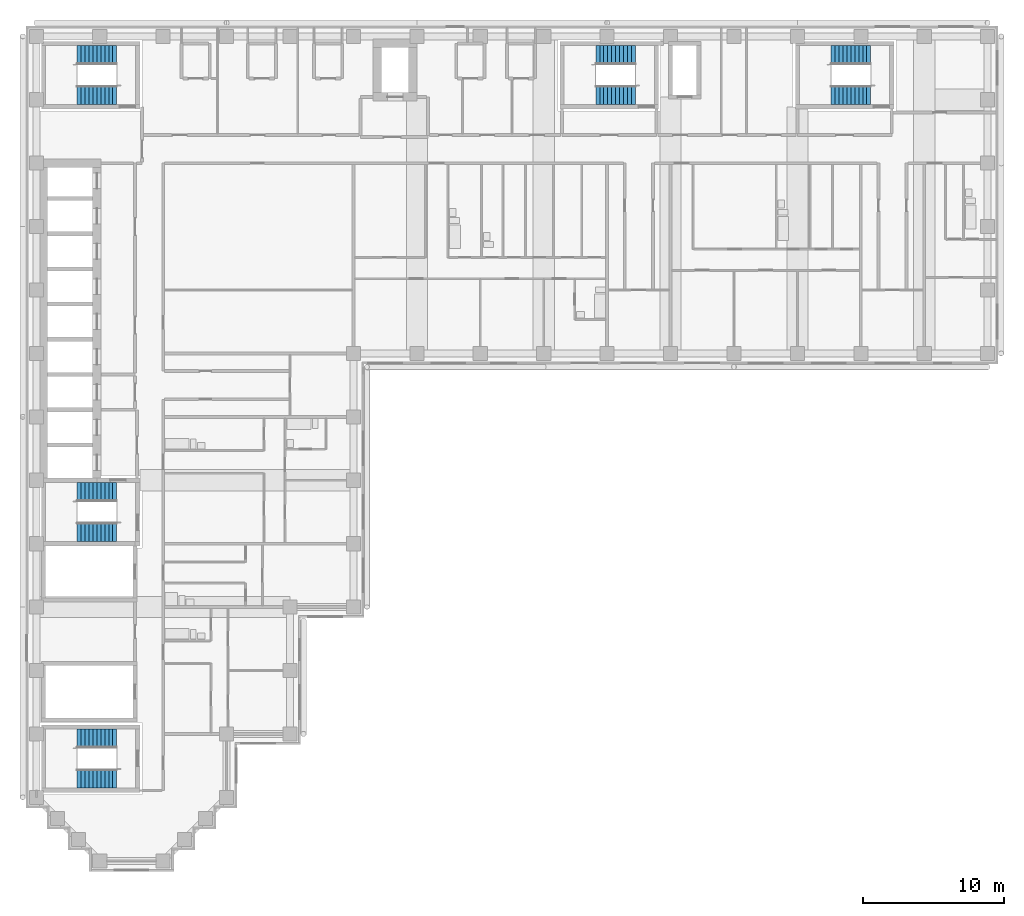
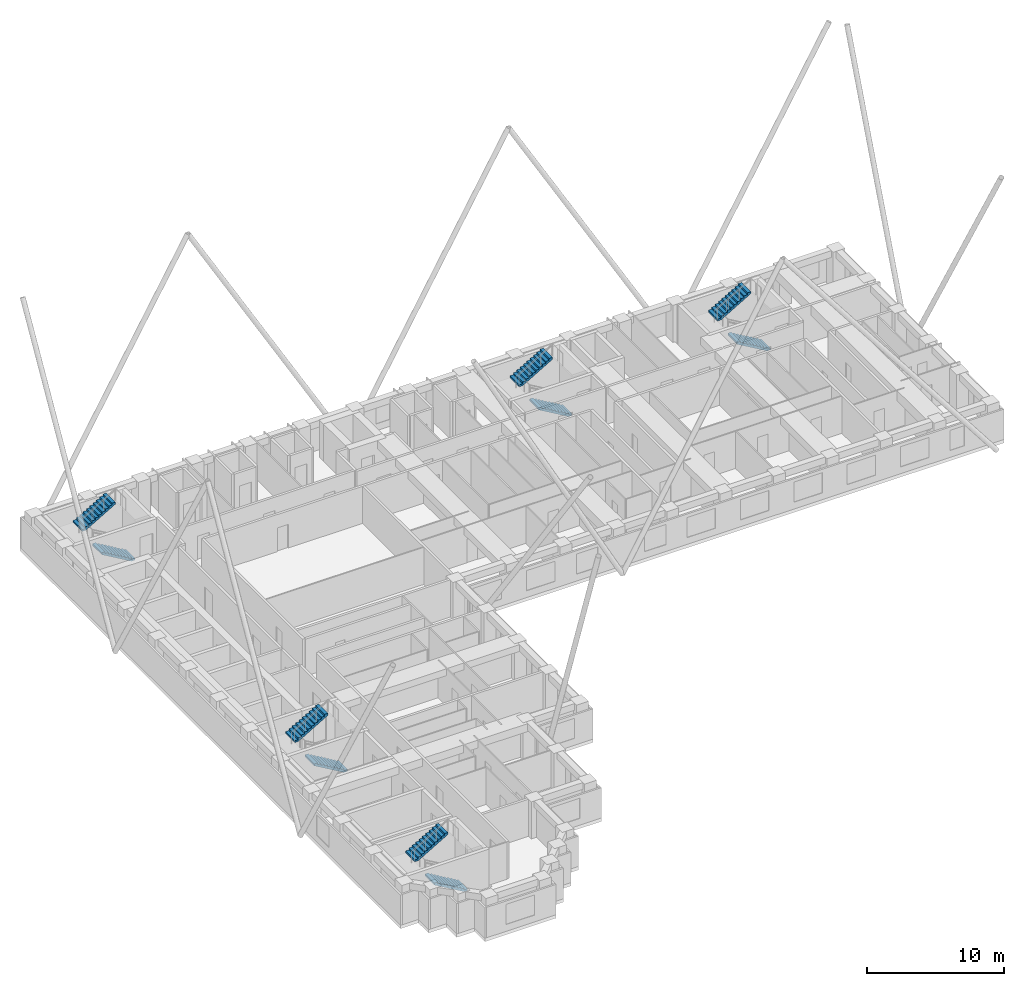
# One storey, part 11 of 13: 10 stair flights, 5 elements without a shape of their own.
"""IFC4 building model written with IfcOpenShell, lengths in metres."""

from ifc_helpers import new_model, si_unit, direction, frame, origin, place, context, subcontext, project, spatial, polyline, outline, extrude, material, type_object, element, aggregate, save


model = new_model("IFC4")

# Units and contexts
model_context = context("Model", 3, precision=1e-05, world=origin(), true_north=direction((0.0, 1.0)))
body_context = subcontext(model_context, "Body", "Model", "MODEL_VIEW")
ifc_project = project(units=[si_unit("LENGTHUNIT", "METRE"), si_unit("AREAUNIT", "SQUARE_METRE"), si_unit("VOLUMEUNIT", "CUBIC_METRE"), si_unit("PLANEANGLEUNIT", "RADIAN"), si_unit("MASSUNIT", "GRAM", prefix="KILO")], contexts=[model_context])

# Site, building, storey
site_placement = place(None, origin())
site = spatial("IfcSite", under=ifc_project, at=site_placement, CompositionType="ELEMENT")
building_placement = place(site_placement, origin())
building = spatial("IfcBuilding", under=site, at=building_placement, Name="Firuza Court", CompositionType="ELEMENT")
storey_placement = place(building_placement, frame((0.0, 0.0, 162.800048828125)))
storey = spatial("IfcBuildingStorey", under=building, at=storey_placement, Name="L41", CompositionType="ELEMENT", Elevation=162.800048828125)

# Stair, stair flights
ifc_material_1 = material(Name="Concrete C40/50 precast", Category="concrete")
stair_type = type_object("IfcStairType", Name="Stair 1350 x 3600 2 flights", PredefinedType="HALF_TURN_STAIR", material=ifc_material_1)
stair_1_placement = place(storey_placement, origin())
stair_1 = element("IfcStair", 1, at=stair_1_placement, inside=storey, type_object=stair_type, Name="Stair 1 L41", PredefinedType="HALF_TURN_STAIR")
ifc_material_2 = material(Name="Concrete C40/50 precast", Category="concrete")
stair_flight_type = type_object("IfcStairFlightType", Name="Flight 1350 riser 163.6", PredefinedType="STRAIGHT", material=ifc_material_2)
stair_flight_1_placement = place(storey_placement, frame((42.5, 54.324951171875, 0.0), z_axis=(0.0, 0.0, 1.0), x_axis=(-1.0, 0.0, 0.0)))
stair_flight_1 = element("IfcStairFlight", 2, at=stair_flight_1_placement, type_object=stair_flight_type, Name="S1 flight 1", NumberOfRisers=11, NumberOfTreads=10, PredefinedType="STRAIGHT", RiserHeight=0.163636364, TreadLength=0.28, context=body_context, shape_type="SweptSolid", body=[
    extrude(outline(polyline([(0.0, 0.0), (0.0, 0.16357421875), (0.280029296875, 0.16357421875), (0.280029296875, 0.327392578125), (0.56005859375, 0.327392578125), (0.56005859375, 0.490966796875), (0.840087890625, 0.490966796875), (0.840087890625, 0.654541015625), (1.1201171875, 0.654541015625), (1.1201171875, 0.818115234375), (1.39990234375, 0.818115234375), (1.39990234375, 0.98193359375), (1.679931640625, 0.98193359375), (1.679931640625, 1.1455078125), (1.9599609375, 1.1455078125), (1.9599609375, 1.30908203125), (2.239990234375, 1.30908203125), (2.239990234375, 1.47265625), (2.52001953125, 1.47265625), (2.52001953125, 1.636474609375), (2.800048828125, 1.636474609375), (2.800048828125, 1.800048828125), (2.800048828125, 1.462646484375), (0.297119140625, 0.0), (0.0, 0.0)])), frame((0.0, 0.675048828125, 0.0), z_axis=(0.0, -1.0, 0.0), x_axis=(1.0, 0.0, 0.0)), (0.0, 0.0, 1.0), 1.35009765625),
])
stair_flight_2_placement = place(storey_placement, frame((39.699951171875, 57.175048828125, 1.800048828125), z_axis=(0.0, 0.0, 1.0), x_axis=(1.0, 0.0, 0.0)))
stair_flight_2 = element("IfcStairFlight", 3, at=stair_flight_2_placement, type_object=stair_flight_type, Name="S1 flight 2", NumberOfRisers=11, NumberOfTreads=10, PredefinedType="STRAIGHT", RiserHeight=0.163636364, TreadLength=0.28, context=body_context, shape_type="SweptSolid", body=[
    extrude(outline(polyline([(0.0, 0.0), (0.0, 0.16357421875), (0.280029296875, 0.16357421875), (0.280029296875, 0.327392578125), (0.56005859375, 0.327392578125), (0.56005859375, 0.490966796875), (0.840087890625, 0.490966796875), (0.840087890625, 0.654541015625), (1.1201171875, 0.654541015625), (1.1201171875, 0.818115234375), (1.39990234375, 0.818115234375), (1.39990234375, 0.98193359375), (1.679931640625, 0.98193359375), (1.679931640625, 1.1455078125), (1.9599609375, 1.1455078125), (1.9599609375, 1.30908203125), (2.239990234375, 1.30908203125), (2.239990234375, 1.47265625), (2.52001953125, 1.47265625), (2.52001953125, 1.636474609375), (2.800048828125, 1.636474609375), (2.800048828125, 1.800048828125), (2.800048828125, 1.462646484375), (0.297119140625, 0.0), (0.0, 0.0)])), frame((0.0, 0.675048828125, 0.0), z_axis=(0.0, -1.0, 0.0), x_axis=(1.0, 0.0, 0.0)), (0.0, 0.0, 1.0), 1.35009765625),
])
aggregate(stair_1, [stair_flight_1, stair_flight_2])

stair_2_placement = place(storey_placement, origin())
stair_2 = element("IfcStair", 4, at=stair_2_placement, inside=storey, type_object=stair_type, Name="Stair 2 L41", PredefinedType="HALF_TURN_STAIR")
stair_flight_3_placement = place(storey_placement, frame((5.699951171875, 23.324951171875, 0.0), z_axis=(0.0, 0.0, 1.0), x_axis=(-1.0, 0.0, 0.0)))
stair_flight_3 = element("IfcStairFlight", 5, at=stair_flight_3_placement, type_object=stair_flight_type, Name="S2 flight 1", NumberOfRisers=11, NumberOfTreads=10, PredefinedType="STRAIGHT", RiserHeight=0.163636364, TreadLength=0.28, context=body_context, shape_type="SweptSolid", body=[
    extrude(outline(polyline([(0.0, 0.0), (0.0, 0.16357421875), (0.280029296875, 0.16357421875), (0.280029296875, 0.327392578125), (0.56005859375, 0.327392578125), (0.56005859375, 0.490966796875), (0.840087890625, 0.490966796875), (0.840087890625, 0.654541015625), (1.1201171875, 0.654541015625), (1.1201171875, 0.818115234375), (1.39990234375, 0.818115234375), (1.39990234375, 0.98193359375), (1.679931640625, 0.98193359375), (1.679931640625, 1.1455078125), (1.9599609375, 1.1455078125), (1.9599609375, 1.30908203125), (2.239990234375, 1.30908203125), (2.239990234375, 1.47265625), (2.52001953125, 1.47265625), (2.52001953125, 1.636474609375), (2.800048828125, 1.636474609375), (2.800048828125, 1.800048828125), (2.800048828125, 1.462646484375), (0.297119140625, 0.0), (0.0, 0.0)])), frame((0.0, 0.675048828125, 0.0), z_axis=(0.0, -1.0, 0.0), x_axis=(1.0, 0.0, 0.0)), (0.0, 0.0, 1.0), 1.35009765625),
])
stair_flight_4_placement = place(storey_placement, frame((2.89990234375, 26.175048828125, 1.800048828125), z_axis=(0.0, 0.0, 1.0), x_axis=(1.0, 0.0, 0.0)))
stair_flight_4 = element("IfcStairFlight", 6, at=stair_flight_4_placement, type_object=stair_flight_type, Name="S2 flight 2", NumberOfRisers=11, NumberOfTreads=10, PredefinedType="STRAIGHT", RiserHeight=0.163636364, TreadLength=0.28, context=body_context, shape_type="SweptSolid", body=[
    extrude(outline(polyline([(0.0, 0.0), (0.0, 0.16357421875), (0.280029296875, 0.16357421875), (0.280029296875, 0.327392578125), (0.56005859375, 0.327392578125), (0.56005859375, 0.490966796875), (0.840087890625, 0.490966796875), (0.840087890625, 0.654541015625), (1.1201171875, 0.654541015625), (1.1201171875, 0.818115234375), (1.39990234375, 0.818115234375), (1.39990234375, 0.98193359375), (1.679931640625, 0.98193359375), (1.679931640625, 1.1455078125), (1.9599609375, 1.1455078125), (1.9599609375, 1.30908203125), (2.239990234375, 1.30908203125), (2.239990234375, 1.47265625), (2.52001953125, 1.47265625), (2.52001953125, 1.636474609375), (2.800048828125, 1.636474609375), (2.800048828125, 1.800048828125), (2.800048828125, 1.462646484375), (0.297119140625, 0.0), (0.0, 0.0)])), frame((0.0, 0.675048828125, 0.0), z_axis=(0.0, -1.0, 0.0), x_axis=(1.0, 0.0, 0.0)), (0.0, 0.0, 1.0), 1.35009765625),
])
aggregate(stair_2, [stair_flight_3, stair_flight_4])

stair_3_placement = place(storey_placement, origin())
stair_3 = element("IfcStair", 7, at=stair_3_placement, inside=storey, type_object=stair_type, Name="Stair 3 L41", PredefinedType="HALF_TURN_STAIR")
stair_flight_5_placement = place(storey_placement, frame((5.699951171875, 54.324951171875, 0.0), z_axis=(0.0, 0.0, 1.0), x_axis=(-1.0, 0.0, 0.0)))
stair_flight_5 = element("IfcStairFlight", 8, at=stair_flight_5_placement, type_object=stair_flight_type, Name="S3 flight 1", NumberOfRisers=11, NumberOfTreads=10, PredefinedType="STRAIGHT", RiserHeight=0.163636364, TreadLength=0.28, context=body_context, shape_type="SweptSolid", body=[
    extrude(outline(polyline([(0.0, 0.0), (0.0, 0.16357421875), (0.280029296875, 0.16357421875), (0.280029296875, 0.327392578125), (0.56005859375, 0.327392578125), (0.56005859375, 0.490966796875), (0.840087890625, 0.490966796875), (0.840087890625, 0.654541015625), (1.1201171875, 0.654541015625), (1.1201171875, 0.818115234375), (1.39990234375, 0.818115234375), (1.39990234375, 0.98193359375), (1.679931640625, 0.98193359375), (1.679931640625, 1.1455078125), (1.9599609375, 1.1455078125), (1.9599609375, 1.30908203125), (2.239990234375, 1.30908203125), (2.239990234375, 1.47265625), (2.52001953125, 1.47265625), (2.52001953125, 1.636474609375), (2.800048828125, 1.636474609375), (2.800048828125, 1.800048828125), (2.800048828125, 1.462646484375), (0.297119140625, 0.0), (0.0, 0.0)])), frame((0.0, 0.675048828125, 0.0), z_axis=(0.0, -1.0, 0.0), x_axis=(1.0, 0.0, 0.0)), (0.0, 0.0, 1.0), 1.35009765625),
])
stair_flight_6_placement = place(storey_placement, frame((2.89990234375, 57.175048828125, 1.800048828125), z_axis=(0.0, 0.0, 1.0), x_axis=(1.0, 0.0, 0.0)))
stair_flight_6 = element("IfcStairFlight", 9, at=stair_flight_6_placement, type_object=stair_flight_type, Name="S3 flight 2", NumberOfRisers=11, NumberOfTreads=10, PredefinedType="STRAIGHT", RiserHeight=0.163636364, TreadLength=0.28, context=body_context, shape_type="SweptSolid", body=[
    extrude(outline(polyline([(0.0, 0.0), (0.0, 0.16357421875), (0.280029296875, 0.16357421875), (0.280029296875, 0.327392578125), (0.56005859375, 0.327392578125), (0.56005859375, 0.490966796875), (0.840087890625, 0.490966796875), (0.840087890625, 0.654541015625), (1.1201171875, 0.654541015625), (1.1201171875, 0.818115234375), (1.39990234375, 0.818115234375), (1.39990234375, 0.98193359375), (1.679931640625, 0.98193359375), (1.679931640625, 1.1455078125), (1.9599609375, 1.1455078125), (1.9599609375, 1.30908203125), (2.239990234375, 1.30908203125), (2.239990234375, 1.47265625), (2.52001953125, 1.47265625), (2.52001953125, 1.636474609375), (2.800048828125, 1.636474609375), (2.800048828125, 1.800048828125), (2.800048828125, 1.462646484375), (0.297119140625, 0.0), (0.0, 0.0)])), frame((0.0, 0.675048828125, 0.0), z_axis=(0.0, -1.0, 0.0), x_axis=(1.0, 0.0, 0.0)), (0.0, 0.0, 1.0), 1.35009765625),
])
aggregate(stair_3, [stair_flight_5, stair_flight_6])

stair_4_placement = place(storey_placement, origin())
stair_4 = element("IfcStair", 10, at=stair_4_placement, inside=storey, type_object=stair_type, Name="Stair 4 L41", PredefinedType="HALF_TURN_STAIR")
stair_flight_7_placement = place(storey_placement, frame((59.199951171875, 54.324951171875, 0.0), z_axis=(0.0, 0.0, 1.0), x_axis=(-1.0, 0.0, 0.0)))
stair_flight_7 = element("IfcStairFlight", 11, at=stair_flight_7_placement, type_object=stair_flight_type, Name="S4 flight 1", NumberOfRisers=11, NumberOfTreads=10, PredefinedType="STRAIGHT", RiserHeight=0.163636364, TreadLength=0.28, context=body_context, shape_type="SweptSolid", body=[
    extrude(outline(polyline([(0.0, 0.0), (0.0, 0.16357421875), (0.280029296875, 0.16357421875), (0.280029296875, 0.327392578125), (0.56005859375, 0.327392578125), (0.56005859375, 0.490966796875), (0.840087890625, 0.490966796875), (0.840087890625, 0.654541015625), (1.1201171875, 0.654541015625), (1.1201171875, 0.818115234375), (1.39990234375, 0.818115234375), (1.39990234375, 0.98193359375), (1.679931640625, 0.98193359375), (1.679931640625, 1.1455078125), (1.9599609375, 1.1455078125), (1.9599609375, 1.30908203125), (2.239990234375, 1.30908203125), (2.239990234375, 1.47265625), (2.52001953125, 1.47265625), (2.52001953125, 1.636474609375), (2.800048828125, 1.636474609375), (2.800048828125, 1.800048828125), (2.800048828125, 1.462646484375), (0.297119140625, 0.0), (0.0, 0.0)])), frame((0.0, 0.675048828125, 0.0), z_axis=(0.0, -1.0, 0.0), x_axis=(1.0, 0.0, 0.0)), (0.0, 0.0, 1.0), 1.35009765625),
])
stair_flight_8_placement = place(storey_placement, frame((56.39990234375, 57.175048828125, 1.800048828125), z_axis=(0.0, 0.0, 1.0), x_axis=(1.0, 0.0, 0.0)))
stair_flight_8 = element("IfcStairFlight", 12, at=stair_flight_8_placement, type_object=stair_flight_type, Name="S4 flight 2", NumberOfRisers=11, NumberOfTreads=10, PredefinedType="STRAIGHT", RiserHeight=0.163636364, TreadLength=0.28, context=body_context, shape_type="SweptSolid", body=[
    extrude(outline(polyline([(0.0, 0.0), (0.0, 0.16357421875), (0.280029296875, 0.16357421875), (0.280029296875, 0.327392578125), (0.56005859375, 0.327392578125), (0.56005859375, 0.490966796875), (0.840087890625, 0.490966796875), (0.840087890625, 0.654541015625), (1.1201171875, 0.654541015625), (1.1201171875, 0.818115234375), (1.39990234375, 0.818115234375), (1.39990234375, 0.98193359375), (1.679931640625, 0.98193359375), (1.679931640625, 1.1455078125), (1.9599609375, 1.1455078125), (1.9599609375, 1.30908203125), (2.239990234375, 1.30908203125), (2.239990234375, 1.47265625), (2.52001953125, 1.47265625), (2.52001953125, 1.636474609375), (2.800048828125, 1.636474609375), (2.800048828125, 1.800048828125), (2.800048828125, 1.462646484375), (0.297119140625, 0.0), (0.0, 0.0)])), frame((0.0, 0.675048828125, 0.0), z_axis=(0.0, -1.0, 0.0), x_axis=(1.0, 0.0, 0.0)), (0.0, 0.0, 1.0), 1.35009765625),
])
aggregate(stair_4, [stair_flight_7, stair_flight_8])

stair_5_placement = place(storey_placement, origin())
stair_5 = element("IfcStair", 13, at=stair_5_placement, inside=storey, type_object=stair_type, Name="Stair 5 L41", PredefinedType="HALF_TURN_STAIR")
stair_flight_9_placement = place(storey_placement, frame((5.699951171875, 5.824951171875, 0.0), z_axis=(0.0, 0.0, 1.0), x_axis=(-1.0, 0.0, 0.0)))
stair_flight_9 = element("IfcStairFlight", 14, at=stair_flight_9_placement, type_object=stair_flight_type, Name="S5 flight 1", NumberOfRisers=11, NumberOfTreads=10, PredefinedType="STRAIGHT", RiserHeight=0.163636364, TreadLength=0.28, context=body_context, shape_type="SweptSolid", body=[
    extrude(outline(polyline([(0.0, 0.0), (0.0, 0.16357421875), (0.280029296875, 0.16357421875), (0.280029296875, 0.327392578125), (0.56005859375, 0.327392578125), (0.56005859375, 0.490966796875), (0.840087890625, 0.490966796875), (0.840087890625, 0.654541015625), (1.1201171875, 0.654541015625), (1.1201171875, 0.818115234375), (1.39990234375, 0.818115234375), (1.39990234375, 0.98193359375), (1.679931640625, 0.98193359375), (1.679931640625, 1.1455078125), (1.9599609375, 1.1455078125), (1.9599609375, 1.30908203125), (2.239990234375, 1.30908203125), (2.239990234375, 1.47265625), (2.52001953125, 1.47265625), (2.52001953125, 1.636474609375), (2.800048828125, 1.636474609375), (2.800048828125, 1.800048828125), (2.800048828125, 1.462646484375), (0.297119140625, 0.0), (0.0, 0.0)])), frame((0.0, 0.675048828125, 0.0), z_axis=(0.0, -1.0, 0.0), x_axis=(1.0, 0.0, 0.0)), (0.0, 0.0, 1.0), 1.35009765625),
])
stair_flight_10_placement = place(storey_placement, frame((2.89990234375, 8.675048828125, 1.800048828125), z_axis=(0.0, 0.0, 1.0), x_axis=(1.0, 0.0, 0.0)))
stair_flight_10 = element("IfcStairFlight", 15, at=stair_flight_10_placement, type_object=stair_flight_type, Name="S5 flight 2", NumberOfRisers=11, NumberOfTreads=10, PredefinedType="STRAIGHT", RiserHeight=0.163636364, TreadLength=0.28, context=body_context, shape_type="SweptSolid", body=[
    extrude(outline(polyline([(0.0, 0.0), (0.0, 0.16357421875), (0.280029296875, 0.16357421875), (0.280029296875, 0.327392578125), (0.56005859375, 0.327392578125), (0.56005859375, 0.490966796875), (0.840087890625, 0.490966796875), (0.840087890625, 0.654541015625), (1.1201171875, 0.654541015625), (1.1201171875, 0.818115234375), (1.39990234375, 0.818115234375), (1.39990234375, 0.98193359375), (1.679931640625, 0.98193359375), (1.679931640625, 1.1455078125), (1.9599609375, 1.1455078125), (1.9599609375, 1.30908203125), (2.239990234375, 1.30908203125), (2.239990234375, 1.47265625), (2.52001953125, 1.47265625), (2.52001953125, 1.636474609375), (2.800048828125, 1.636474609375), (2.800048828125, 1.800048828125), (2.800048828125, 1.462646484375), (0.297119140625, 0.0), (0.0, 0.0)])), frame((0.0, 0.675048828125, 0.0), z_axis=(0.0, -1.0, 0.0), x_axis=(1.0, 0.0, 0.0)), (0.0, 0.0, 1.0), 1.35009765625),
])
aggregate(stair_5, [stair_flight_9, stair_flight_10])

save(model, "model.ifc")
